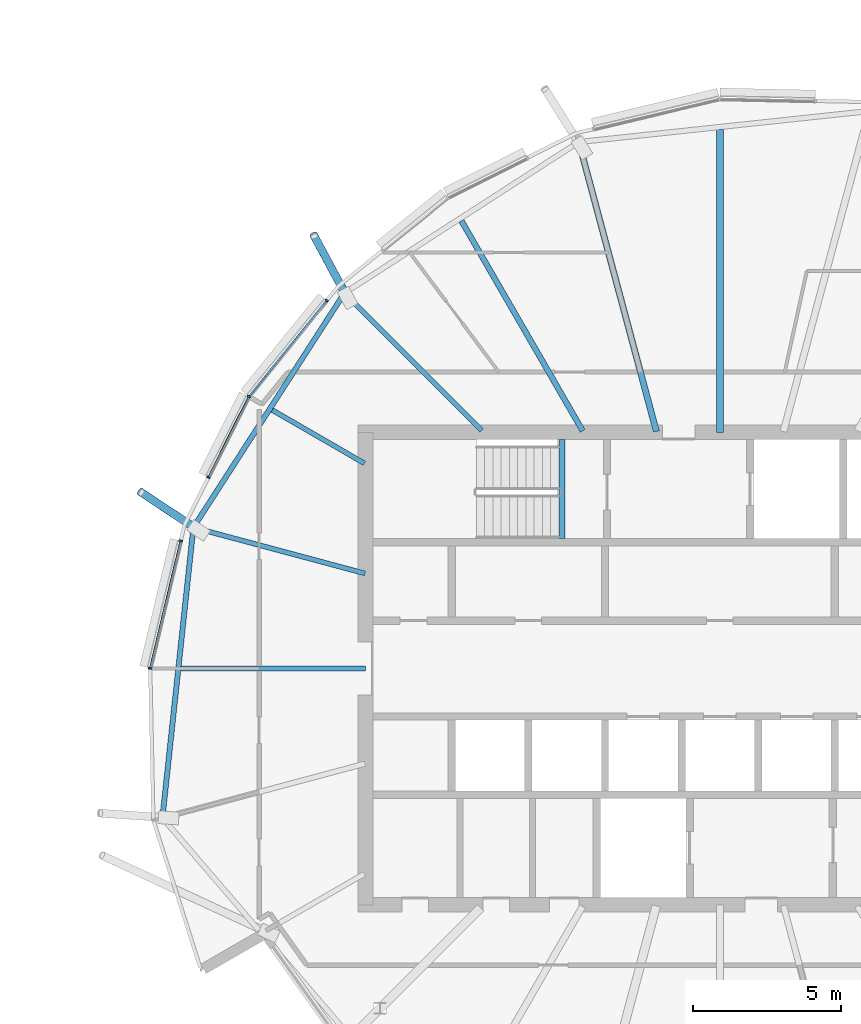
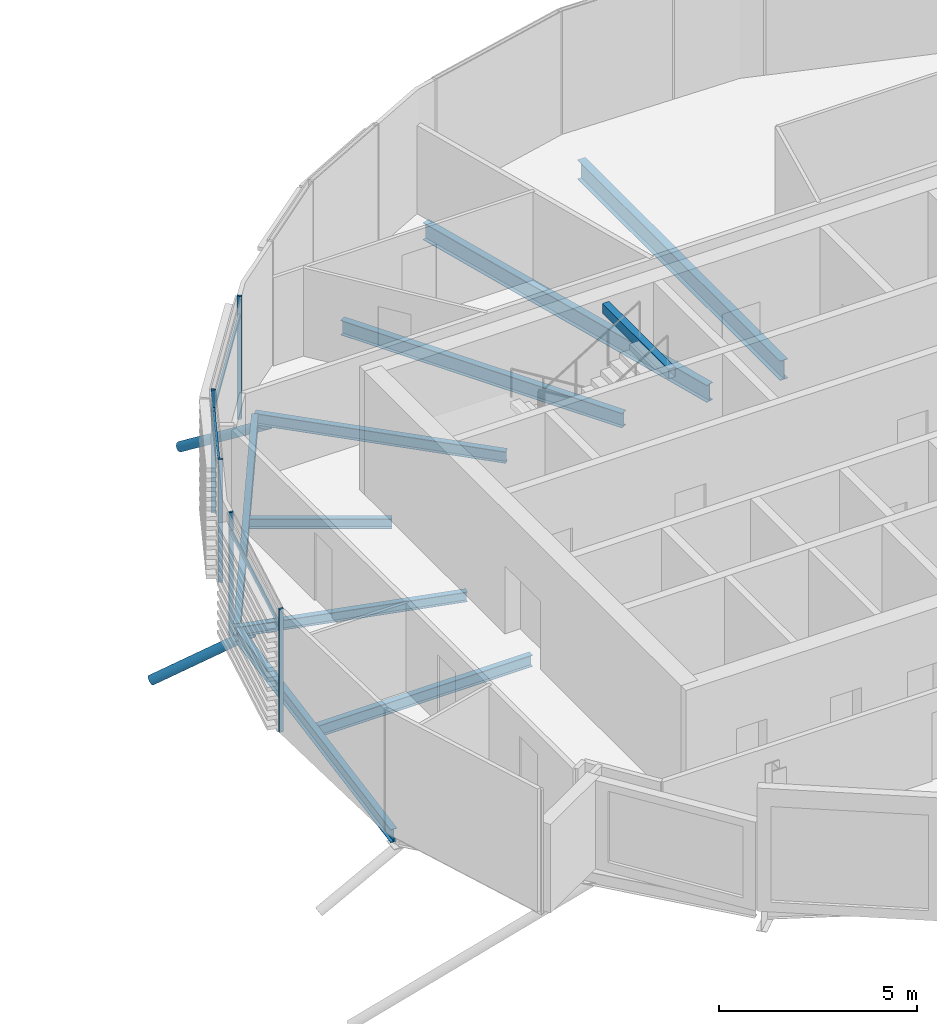
# One storey, part 11 of 33: 10 beams, 10 members, 1 element without a shape of its own.
"""IFC4 building model written with IfcOpenShell, lengths in metres."""

from ifc_helpers import new_model, si_unit, direction, frame, origin, origin_2d, place, context, subcontext, project, spatial, rectangle, hollow_rectangle, hollow_circle, i_section, extrude, clip, halfspace, material, material_profile, profile_set, type_object, element, aggregate, save


model = new_model("IFC4")

# Units and contexts
model_context = context("Model", 3, precision=1e-05, world=origin(), true_north=direction((0.0, 1.0)))
body_context = subcontext(model_context, "Body", "Model", "MODEL_VIEW")
ifc_project = project(units=[si_unit("LENGTHUNIT", "METRE"), si_unit("AREAUNIT", "SQUARE_METRE"), si_unit("VOLUMEUNIT", "CUBIC_METRE"), si_unit("PLANEANGLEUNIT", "RADIAN"), si_unit("MASSUNIT", "GRAM", prefix="KILO")], contexts=[model_context])

# Site, building, storey
site_placement = place(None, origin())
site = spatial("IfcSite", under=ifc_project, at=site_placement, CompositionType="ELEMENT")
building_placement = place(site_placement, origin())
building = spatial("IfcBuilding", under=site, at=building_placement, Name="Rimbun Link Towers", CompositionType="ELEMENT")
storey_placement = place(building_placement, frame((0.0, 0.0, 237.10009765625)))
storey = spatial("IfcBuildingStorey", under=building, at=storey_placement, Name="L58", CompositionType="ELEMENT", Elevation=237.10009765625)

# Curtain wall, members
ifc_material_1 = material(Name="Aluminium 6063-T6 and low-iron glass", Category="aluminium")
curtain_wall_type = type_object("IfcCurtainWallType", Name="CW1-Z4 unitised vision wall (zone 4)", PredefinedType="NOTDEFINED", material=ifc_material_1)
curtain_wall_placement = place(storey_placement, origin())
curtain_wall = element("IfcCurtainWall", 1, at=curtain_wall_placement, inside=storey, type_object=curtain_wall_type, Name="CW1 L58 T2", PredefinedType="NOTDEFINED")
ifc_material_2 = material(Name="Aluminium 6063-T6", Category="aluminium")
ifc_material_profile_1 = material_profile(ifc_material_2, rectangle(XDim=0.1201171875, YDim=0.06005859375, at=origin_2d()), Name="MULLION 60X120")
ifc_profile_set_1 = profile_set([ifc_material_profile_1], Name="Aluminium 6063-T6")
member_type_1 = type_object("IfcMemberType", Name="CW1 mullion 60X120", PredefinedType="MULLION", material=ifc_profile_set_1)
member_1_placement = place(storey_placement, frame((15.797607421875, 9.213623046875, 0.0), z_axis=(0.0, 0.0, 1.0), x_axis=(-0.840317451193, 0.542094623862, 0.0)))
member_1 = element("IfcMember", 2, at=member_1_placement, type_object=member_type_1, Name="CW1 mullion", PredefinedType="MULLION", context=body_context, shape_type="SweptSolid", body=[
    extrude(rectangle(XDim=0.1201171875, YDim=0.06005859375, at=origin_2d()), origin(), (0.0, 0.0, 1.0), 3.7998046875),
])
member_2_placement = place(storey_placement, frame((18.430419921875, 12.466796875, 0.0), z_axis=(0.0, 0.0, 1.0), x_axis=(-0.777285317003, 0.629148262313, 0.0)))
member_2 = element("IfcMember", 3, at=member_2_placement, type_object=member_type_1, Name="CW1 mullion", PredefinedType="MULLION", context=body_context, shape_type="SweptSolid", body=[
    extrude(rectangle(XDim=0.1201171875, YDim=0.06005859375, at=origin_2d()), origin(), (0.0, 0.0, 1.0), 3.7998046875),
])
member_3_placement = place(storey_placement, frame((14.424560546875, 6.47998046875, 0.0), z_axis=(0.0, 0.0, 1.0), x_axis=(-0.893642754219, 0.448779041213, 0.0)))
member_3 = element("IfcMember", 4, at=member_3_placement, type_object=member_type_1, Name="CW1 mullion", PredefinedType="MULLION", context=body_context, shape_type="SweptSolid", body=[
    extrude(rectangle(XDim=0.1201171875, YDim=0.06005859375, at=origin_2d()), origin(), (0.0, 0.0, 1.0), 3.7998046875),
])
member_4_placement = place(storey_placement, frame((12.4521484375, 0.00634765625, 0.0), z_axis=(0.0, 0.0, 1.0), x_axis=(-0.994297670519, 0.106640247566, 0.0)))
member_4 = element("IfcMember", 5, at=member_4_placement, type_object=member_type_1, Name="CW1 mullion", PredefinedType="MULLION", context=body_context, shape_type="SweptSolid", body=[
    extrude(rectangle(XDim=0.1201171875, YDim=0.06005859375, at=origin_2d()), origin(), (0.0, 0.0, 1.0), 3.7998046875),
])
member_5_placement = place(storey_placement, frame((13.484130859375, 4.323486328125, 0.0), z_axis=(0.0, 0.0, 1.0), x_axis=(-0.972571783307, 0.23260293703, 0.0)))
member_5 = element("IfcMember", 6, at=member_5_placement, type_object=member_type_1, Name="CW1 mullion", PredefinedType="MULLION", context=body_context, shape_type="SweptSolid", body=[
    extrude(rectangle(XDim=0.1201171875, YDim=0.06005859375, at=origin_2d()), origin(), (0.0, 0.0, 1.0), 3.7998046875),
])
ifc_material_3 = material(Name="Aluminium 6063-T6", Category="aluminium")
ifc_material_profile_2 = material_profile(ifc_material_3, rectangle(XDim=0.06005859375, YDim=0.1201171875, at=origin_2d()), Name="TRANSOM 60X120")
ifc_profile_set_2 = profile_set([ifc_material_profile_2], Name="Aluminium 6063-T6")
member_type_2 = type_object("IfcMemberType", Name="CW1 transom 60X120", PredefinedType="USERDEFINED", material=ifc_profile_set_2)
member_6_placement = place(storey_placement, frame((15.82177734375, 9.24072265625, 3.199951171875), z_axis=(0.629152187404, 0.77728213995, 0.0), x_axis=(-0.77728213995, 0.629152187404, 0.0)))
member_6 = element("IfcMember", 7, at=member_6_placement, type_object=member_type_2, Name="CW1 transom", ObjectType="TRANSOM", PredefinedType="USERDEFINED", context=body_context, shape_type="SweptSolid", body=[
    extrude(rectangle(XDim=0.06005859375, YDim=0.1201171875, at=origin_2d()), origin(), (0.0, 0.0, 1.0), 4.11865234375),
])
member_7_placement = place(storey_placement, frame((14.439697265625, 6.505859375, 3.199951171875), z_axis=(0.448779272577, 0.89364263803, 0.0), x_axis=(-0.89364263803, 0.448779272577, 0.0)))
member_7 = element("IfcMember", 8, at=member_7_placement, type_object=member_type_2, Name="CW1 transom", ObjectType="TRANSOM", PredefinedType="USERDEFINED", context=body_context, shape_type="SweptSolid", body=[
    extrude(rectangle(XDim=0.06005859375, YDim=0.1201171875, at=origin_2d()), origin(), (0.0, 0.0, 1.0), 2.99267578125),
])
member_8_placement = place(storey_placement, frame((12.462158203125, 0.042724609375, 3.199951171875), z_axis=(0.232639830265, 0.97256295908, 0.0), x_axis=(-0.97256295908, 0.232639830265, 0.0)))
member_8 = element("IfcMember", 9, at=member_8_placement, type_object=member_type_2, Name="CW1 transom", ObjectType="TRANSOM", PredefinedType="USERDEFINED", context=body_context, shape_type="SweptSolid", body=[
    extrude(rectangle(XDim=0.06005859375, YDim=0.1201171875, at=origin_2d()), origin(), (0.0, 0.0, 1.0), 4.370849609375),
])
aggregate(curtain_wall, [member_1, member_2, member_3, member_4, member_5, member_6, member_7, member_8])

# Members
ifc_material_4 = material(Name="Steel S355J2H", Category="steel")
ifc_material_profile_3 = material_profile(ifc_material_4, hollow_circle(Radius=0.136474609375, WallThickness=0.012451171875, at=origin_2d()), Name="CHS 273x12.5")
ifc_profile_set_3 = profile_set([ifc_material_profile_3], Name="Steel S355J2H")
member_type_3 = type_object("IfcMemberType", Name="Floor edge link CHS 273x12.5", PredefinedType="BRACE", material=ifc_profile_set_3)
member_9_placement = place(storey_placement, frame((19.067626953125, 12.682373046875, -0.610107421875), z_axis=(-0.400500223826, 0.744069688195, -0.534752157382), x_axis=(-0.880546514685, -0.473959740353, 0.0)))
element("IfcMember", 10, at=member_9_placement, inside=storey, type_object=member_type_3, Name="Floor edge link T2 L58 06", PredefinedType="BRACE", context=body_context, shape_type="Clipping", body=[
    clip(extrude(hollow_circle(Radius=0.136474609375, WallThickness=0.012451171875, at=origin_2d()), frame((0.0, 0.0, -0.4501953125)), (0.0, 0.0, 1.0), 3.156005859375), halfspace(frame((0.0, 0.0, -0.21142578125), z_axis=(0.0, 0.845008952719, -0.534752157382)), False)),
])
member_10_placement = place(storey_placement, frame((13.965087890625, 4.765380859375, -0.55908203125), z_axis=(-0.709544084813, 0.469853442155, -0.525152296579), x_axis=(-0.552113841934, -0.833768736248, 0.0)))
element("IfcMember", 11, at=member_10_placement, inside=storey, type_object=member_type_3, Name="Floor edge link T2 L58 08", PredefinedType="BRACE", context=body_context, shape_type="Clipping", body=[
    clip(extrude(hollow_circle(Radius=0.136474609375, WallThickness=0.012451171875, at=origin_2d()), frame((0.0, 0.0, -0.46142578125)), (0.0, 0.0, 1.0), 3.0751953125), halfspace(frame((0.0, 0.0, -0.21630859375), z_axis=(0.0, 0.851008264001, -0.525152296579)), False)),
])

# Beams
ifc_material_5 = material(Name="Steel S355J2", Category="steel")
ifc_material_profile_4 = material_profile(ifc_material_5, hollow_rectangle(XDim=0.199951171875, YDim=0.300048828125, WallThickness=0.011962890625, at=origin_2d()), Name="BOX 300x200x12")
ifc_profile_set_4 = profile_set([ifc_material_profile_4], Name="Steel S355J2")
beam_type_1 = type_object("IfcBeamType", Name="Stair trimmer beam BOX 300x200x12", PredefinedType="BEAM", material=ifc_profile_set_4)
beam_1_placement = place(storey_placement, frame((26.39990234375, 7.75, 3.510009765625), z_axis=(0.0, -1.0, 0.0), x_axis=(1.0, 0.0, 0.0)))
element("IfcBeam", 12, at=beam_1_placement, inside=storey, type_object=beam_type_1, Name="L58 ST3 stair beam 1", PredefinedType="BEAM", context=body_context, shape_type="SweptSolid", body=[
    extrude(hollow_rectangle(XDim=0.199951171875, YDim=0.300048828125, WallThickness=0.011962890625, at=origin_2d()), origin(), (0.0, 0.0, 1.0), 3.35009765625),
])
ifc_material_6 = material(Name="Steel S355J2", Category="steel")
ifc_material_profile_5 = material_profile(ifc_material_6, i_section(OverallWidth=0.1650390625, OverallDepth=0.303466796875, WebThickness=0.006103515625, FlangeThickness=0.01025390625, at=origin_2d()), Name="UB 305x165x40")
ifc_profile_set_5 = profile_set([ifc_material_profile_5], Name="Steel S355J2")
beam_type_2 = type_object("IfcBeamType", Name="UB 305x165x40", PredefinedType="BEAM", material=ifc_profile_set_5)
beam_2_placement = place(storey_placement, frame((19.7080078125, 6.952392578125, -0.291748046875), z_axis=(-0.866013024682, 0.500021440621, 0.0), x_axis=(-0.500021440621, -0.866013024682, 0.0)))
element("IfcBeam", 13, at=beam_2_placement, inside=storey, type_object=beam_type_2, Name="Radial beam T2 L58 07", PredefinedType="BEAM", context=body_context, shape_type="SweptSolid", body=[
    extrude(i_section(OverallWidth=0.1650390625, OverallDepth=0.303466796875, WebThickness=0.006103515625, FlangeThickness=0.01025390625, at=origin_2d()), origin(), (0.0, 0.0, 1.0), 3.604736328125),
])
beam_3_placement = place(storey_placement, frame((19.727783203125, 3.221435546875, -0.291748046875), z_axis=(-0.965930480353, 0.258801675275, 0.0), x_axis=(-0.258801675275, -0.965930480353, 0.0)))
element("IfcBeam", 14, at=beam_3_placement, inside=storey, type_object=beam_type_2, Name="Radial beam T2 L58 08", PredefinedType="BEAM", context=body_context, shape_type="SweptSolid", body=[
    extrude(i_section(OverallWidth=0.1650390625, OverallDepth=0.303466796875, WebThickness=0.006103515625, FlangeThickness=0.01025390625, at=origin_2d()), origin(), (0.0, 0.0, 1.0), 6.015625),
])
ifc_material_7 = material(Name="Steel S355J2", Category="steel")
ifc_material_profile_6 = material_profile(ifc_material_7, i_section(OverallWidth=0.17138671875, OverallDepth=0.35498046875, WebThickness=0.00732421875, FlangeThickness=0.011474609375, at=origin_2d()), Name="UB 356x171x51")
ifc_profile_set_6 = profile_set([ifc_material_profile_6], Name="Steel S355J2")
beam_type_3 = type_object("IfcBeamType", Name="UB 356x171x51", PredefinedType="BEAM", material=ifc_profile_set_6)
beam_4_placement = place(storey_placement, frame((23.688720703125, 8.061279296875, -0.317626953125), z_axis=(-0.707106781187, 0.707106781187, 0.0), x_axis=(-0.707106781187, -0.707106781187, 0.0)))
element("IfcBeam", 15, at=beam_4_placement, inside=storey, type_object=beam_type_3, Name="Radial beam T2 L58 06", PredefinedType="BEAM", context=body_context, shape_type="SweptSolid", body=[
    extrude(i_section(OverallWidth=0.17138671875, OverallDepth=0.35498046875, WebThickness=0.00732421875, FlangeThickness=0.011474609375, at=origin_2d()), origin(), (0.0, 0.0, 1.0), 6.5849609375),
])
beam_5_placement = place(storey_placement, frame((19.7490234375, 0.0, -0.317626953125), z_axis=(-1.0, 0.0, 0.0), x_axis=(0.0, -1.0, 0.0)))
element("IfcBeam", 16, at=beam_5_placement, inside=storey, type_object=beam_type_3, Name="Radial beam T2 L58 09", PredefinedType="BEAM", context=body_context, shape_type="SweptSolid", body=[
    extrude(i_section(OverallWidth=0.17138671875, OverallDepth=0.35498046875, WebThickness=0.00732421875, FlangeThickness=0.011474609375, at=origin_2d()), origin(), (0.0, 0.0, 1.0), 6.2509765625),
])
ifc_material_8 = material(Name="Steel S355J2", Category="steel")
ifc_material_profile_7 = material_profile(ifc_material_8, i_section(OverallWidth=0.177978515625, OverallDepth=0.406494140625, WebThickness=0.0078125, FlangeThickness=0.0126953125, at=origin_2d()), Name="UB 406x178x60")
ifc_profile_set_7 = profile_set([ifc_material_profile_7], Name="Steel S355J2")
beam_type_4 = type_object("IfcBeamType", Name="UB 406x178x60", PredefinedType="BEAM", material=ifc_profile_set_7)
beam_6_placement = place(storey_placement, frame((18.984375, 12.64306640625, -0.34326171875), z_axis=(-0.541635983598, -0.840613146026, 0.0), x_axis=(0.840613146026, -0.541635983598, 0.0)))
element("IfcBeam", 17, at=beam_6_placement, inside=storey, type_object=beam_type_4, Name="Edge beam T2 L58 06-08", PredefinedType="BEAM", context=body_context, shape_type="SweptSolid", body=[
    extrude(i_section(OverallWidth=0.177978515625, OverallDepth=0.406494140625, WebThickness=0.0078125, FlangeThickness=0.0126953125, at=origin_2d()), origin(), (0.0, 0.0, 1.0), 9.268310546875),
])
beam_7_placement = place(storey_placement, frame((13.907958984375, 4.6943359375, -0.34326171875), z_axis=(-0.105977494228, -0.994368528624, 0.0), x_axis=(0.994368528624, -0.105977494228, 0.0)))
element("IfcBeam", 18, at=beam_7_placement, inside=storey, type_object=beam_type_4, Name="Edge beam T2 L58 08-10", PredefinedType="BEAM", context=body_context, shape_type="SweptSolid", body=[
    extrude(i_section(OverallWidth=0.177978515625, OverallDepth=0.406494140625, WebThickness=0.0078125, FlangeThickness=0.0126953125, at=origin_2d()), origin(), (0.0, 0.0, 1.0), 9.71240234375),
])
ifc_material_9 = material(Name="Steel S355J2", Category="steel")
ifc_material_profile_8 = material_profile(ifc_material_9, i_section(OverallWidth=0.18994140625, OverallDepth=0.453369140625, WebThickness=0.008544921875, FlangeThickness=0.0126953125, at=origin_2d()), Name="UB 457x191x67")
ifc_profile_set_8 = profile_set([ifc_material_profile_8], Name="Steel S355J2")
beam_type_5 = type_object("IfcBeamType", Name="UB 457x191x67", PredefinedType="BEAM", material=ifc_profile_set_8)
beam_8_placement = place(storey_placement, frame((27.103271484375, 8.04833984375, -0.36669921875), z_axis=(-0.500002817014, 0.866023777374, 0.0), x_axis=(-0.866023777374, -0.500002817014, 0.0)))
element("IfcBeam", 19, at=beam_8_placement, inside=storey, type_object=beam_type_5, Name="Radial beam T2 L58 05", PredefinedType="BEAM", context=body_context, shape_type="SweptSolid", body=[
    extrude(i_section(OverallWidth=0.18994140625, OverallDepth=0.453369140625, WebThickness=0.008544921875, FlangeThickness=0.0126953125, at=origin_2d()), origin(), (0.0, 0.0, 1.0), 8.21630859375),
])
ifc_material_10 = material(Name="Steel S355J2", Category="steel")
ifc_material_profile_9 = material_profile(ifc_material_10, i_section(OverallWidth=0.209228515625, OverallDepth=0.533203125, WebThickness=0.010009765625, FlangeThickness=0.015625, at=origin_2d()), Name="UB 533x210x92")
ifc_profile_set_9 = profile_set([ifc_material_profile_9], Name="Steel S355J2")
beam_type_6 = type_object("IfcBeamType", Name="UB 533x210x92", PredefinedType="BEAM", material=ifc_profile_set_9)
beam_9_placement = place(storey_placement, frame((29.598876953125, 8.028076171875, -0.406494140625), z_axis=(-0.258816632392, 0.96592647277, 0.0), x_axis=(-0.96592647277, -0.258816632392, 0.0)))
element("IfcBeam", 20, at=beam_9_placement, inside=storey, type_object=beam_type_6, Name="Radial beam T2 L58 04", PredefinedType="BEAM", context=body_context, shape_type="SweptSolid", body=[
    extrude(i_section(OverallWidth=0.209228515625, OverallDepth=0.533203125, WebThickness=0.010009765625, FlangeThickness=0.015625, at=origin_2d()), origin(), (0.0, 0.0, 1.0), 10.15087890625),
])
ifc_material_11 = material(Name="Steel S355J2", Category="steel")
ifc_material_profile_10 = material_profile(ifc_material_11, i_section(OverallWidth=0.2275390625, OverallDepth=0.6025390625, WebThickness=0.010498046875, FlangeThickness=0.014892578125, at=origin_2d()), Name="UB 610x229x101")
ifc_profile_set_10 = profile_set([ifc_material_profile_10], Name="Steel S355J2")
beam_type_7 = type_object("IfcBeamType", Name="UB 610x229x101", PredefinedType="BEAM", material=ifc_profile_set_10)
beam_10_placement = place(storey_placement, frame((31.75, 8.0009765625, -0.44140625), z_axis=(0.0, 1.0, 0.0), x_axis=(-1.0, 0.0, 0.0)))
element("IfcBeam", 21, at=beam_10_placement, inside=storey, type_object=beam_type_7, Name="Radial beam T2 L58 03", PredefinedType="BEAM", context=body_context, shape_type="SweptSolid", body=[
    extrude(i_section(OverallWidth=0.2275390625, OverallDepth=0.6025390625, WebThickness=0.010498046875, FlangeThickness=0.014892578125, at=origin_2d()), origin(), (0.0, 0.0, 1.0), 10.2509765625),
])

save(model, "model.ifc")
